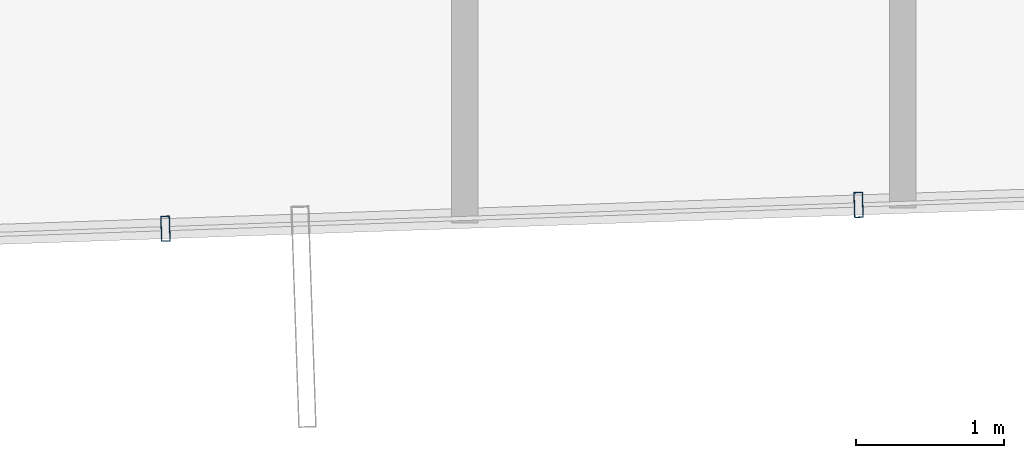
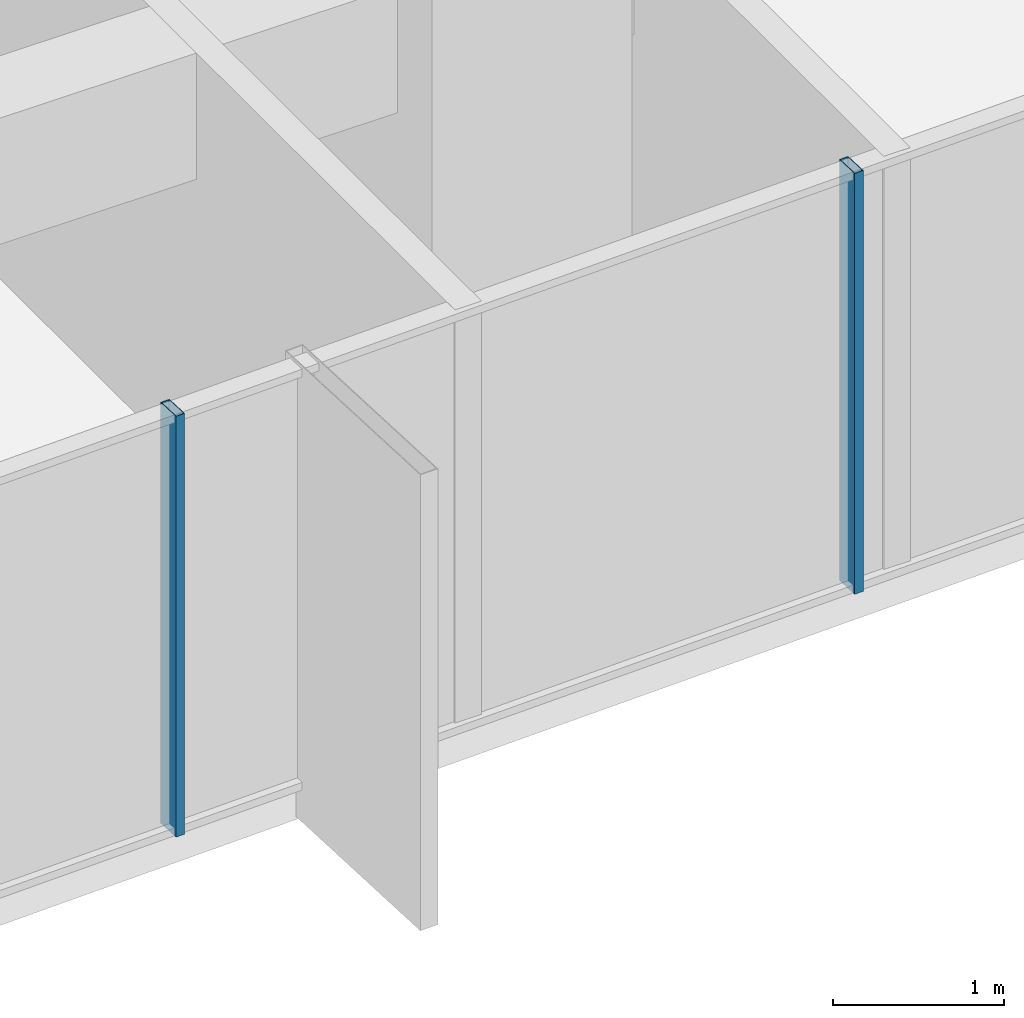
# One storey, part 6 of 39: 2 members, 1 element without a shape of its own.
"""IFC4 building model written with IfcOpenShell, lengths in metres."""

from ifc_helpers import new_model, si_unit, direction, frame, origin, origin_2d, place, context, subcontext, project, spatial, hollow_rectangle, extrude, source, transform, mapped, material, layer, layer_set, material_profile, profile_set, type_object, element, aggregate, save


model = new_model("IFC4")

# Units and contexts
model_context = context("Model", 3, precision=1e-05, world=origin(), true_north=direction((0.0, 1.0)))
body_context = subcontext(model_context, "Body", "Model", "MODEL_VIEW")
ifc_project = project(units=[si_unit("LENGTHUNIT", "METRE"), si_unit("AREAUNIT", "SQUARE_METRE"), si_unit("VOLUMEUNIT", "CUBIC_METRE"), si_unit("PLANEANGLEUNIT", "RADIAN"), si_unit("MASSUNIT", "GRAM", prefix="KILO")], contexts=[model_context])

# Site, building, storey
site_placement = place(None, origin())
site = spatial("IfcSite", under=ifc_project, at=site_placement, CompositionType="ELEMENT")
building_placement = place(site_placement, origin())
building = spatial("IfcBuilding", under=site, at=building_placement, Name="Veraguas Prism Commons", CompositionType="ELEMENT")
storey_placement = place(building_placement, frame((0.0, 0.0, 30.550048828125)))
storey = spatial("IfcBuildingStorey", under=building, at=storey_placement, Name="L07", CompositionType="ELEMENT", Elevation=30.550048828125)

# Curtain wall, members
ifc_material = material(Name="Anodised aluminium EN AW-6063 T6", Category="aluminium")
ifc_layer = layer(ifc_material, 0.169921875, Name="Unitised Flush Curtain Wall Zone 1", Category="aluminium")
ifc_layer_set = layer_set([ifc_layer], Name="Anodised aluminium EN AW-6063 T6")
curtain_wall_type = type_object("IfcCurtainWallType", Name="Unitised Flush Curtain Wall Zone 1", PredefinedType="NOTDEFINED", material=ifc_layer_set)
curtain_wall_placement = place(storey_placement, origin())
curtain_wall = element("IfcCurtainWall", 1, at=curtain_wall_placement, inside=storey, type_object=curtain_wall_type, Name="Tower Facade Curtain Wall L07-F5", PredefinedType="NOTDEFINED")
ifc_material_profile = material_profile(ifc_material, hollow_rectangle(XDim=0.06005859375, YDim=0.169921875, WallThickness=0.00390625, at=origin_2d()), Name="AL60X170X4")
ifc_profile_set = profile_set([ifc_material_profile], Name="Anodised aluminium EN AW-6063 T6")
member_type = type_object("IfcMemberType", Name="Curtain Wall Mullion Lower AL 60x170x4", PredefinedType="MULLION", material=ifc_profile_set)
shared_shape = source(origin(), body_context, "Body", "SweptSolid", [
    extrude(hollow_rectangle(XDim=0.06005859375, YDim=0.169921875, WallThickness=0.00390625, at=origin_2d()), origin(), (0.0, 0.0, 1.0), 3.0),
])
member_1_placement = place(storey_placement, frame((20.042724609375, 3.06787109375, 0.0), z_axis=(0.0, 0.0, 1.0), x_axis=(0.999415186666, 0.034194804603, 0.0)))
member_1 = element("IfcMember", 2, at=member_1_placement, type_object=member_type, Name="CW-Z1 Mullion 2", PredefinedType="MULLION", context=body_context, shape_type="MappedRepresentation", body=[
    mapped(shared_shape, transform((0.0, 0.0, 0.0), scale=1.0)),
])
member_2_placement = place(storey_placement, frame((24.7109375, 3.2275390625, 0.0), z_axis=(0.0, 0.0, 1.0), x_axis=(0.999415186666, 0.034194804603, 0.0)))
member_2 = element("IfcMember", 3, at=member_2_placement, type_object=member_type, Name="CW-Z1 Mullion 3", PredefinedType="MULLION", context=body_context, shape_type="MappedRepresentation", body=[
    mapped(shared_shape, transform((0.0, 0.0, 0.0), scale=1.0)),
])
aggregate(curtain_wall, [member_1, member_2])

save(model, "model.ifc")
